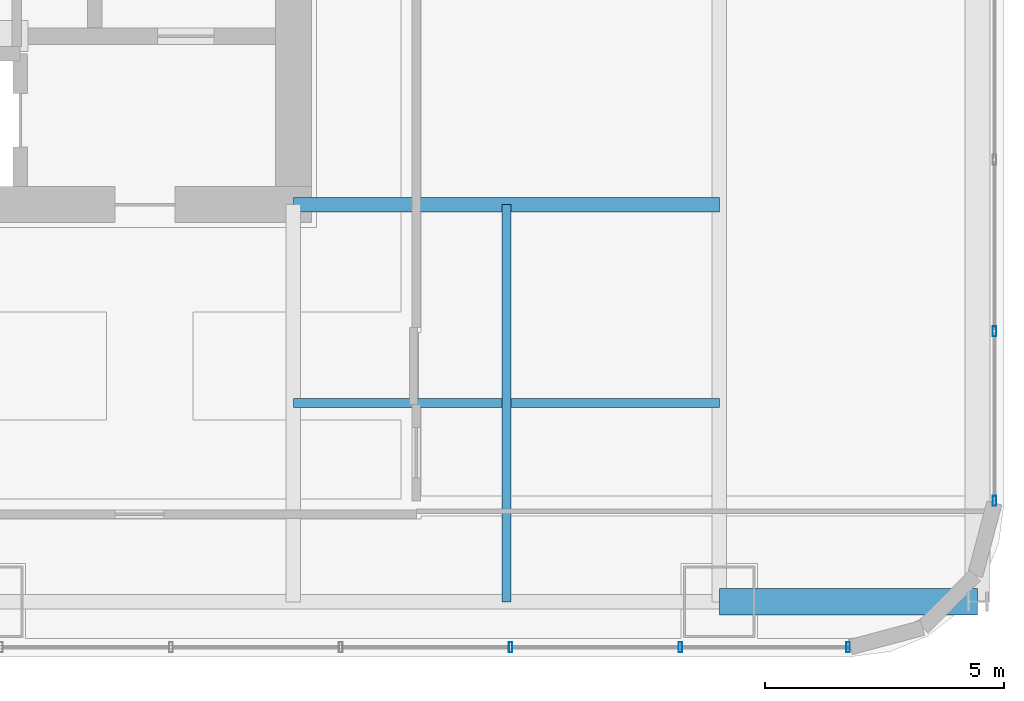
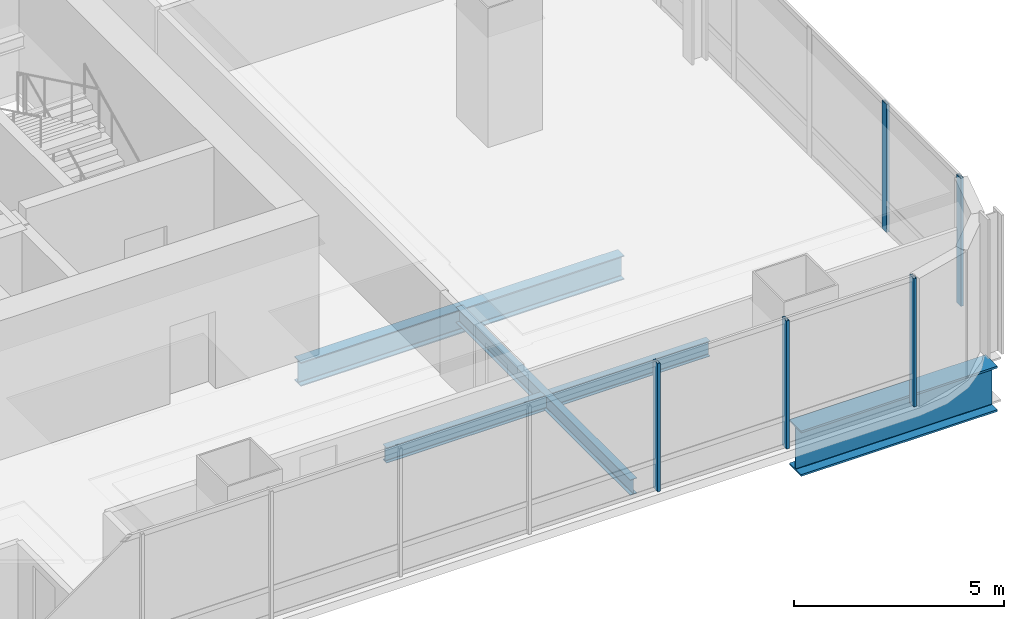
# One storey, part 13 of 33: 5 members, 4 beams, 2 elements without a shape of their own.
"""IFC4 building model written with IfcOpenShell, lengths in metres."""

from ifc_helpers import new_model, si_unit, direction, frame, origin, origin_2d, place, context, subcontext, project, spatial, hollow_rectangle, i_section, extrude, material, material_profile, profile_set, type_object, element, aggregate, save


model = new_model("IFC4")

# Units and contexts
model_context = context("Model", 3, precision=1e-05, world=origin(), true_north=direction((0.0, 1.0)))
body_context = subcontext(model_context, "Body", "Model", "MODEL_VIEW")
ifc_project = project(units=[si_unit("LENGTHUNIT", "METRE"), si_unit("AREAUNIT", "SQUARE_METRE"), si_unit("VOLUMEUNIT", "CUBIC_METRE"), si_unit("PLANEANGLEUNIT", "RADIAN"), si_unit("MASSUNIT", "GRAM", prefix="KILO")], contexts=[model_context])

# Site, building, storey
site_placement = place(None, origin())
site = spatial("IfcSite", under=ifc_project, at=site_placement, CompositionType="ELEMENT")
building_placement = place(site_placement, origin())
building = spatial("IfcBuilding", under=site, at=building_placement, Name="Punatoya Terracotta Tower", CompositionType="ELEMENT")
storey_placement = place(building_placement, frame((0.0, 0.0, 121.35009765625)))
storey = spatial("IfcBuildingStorey", under=building, at=storey_placement, Name="L28", CompositionType="ELEMENT", Elevation=121.35009765625)

# Beams
ifc_material_1 = material(Name="Steel S355", Category="steel")
ifc_material_profile_1 = material_profile(ifc_material_1, i_section(OverallWidth=0.300048828125, OverallDepth=0.699951171875, WebThickness=0.01708984375, FlangeThickness=0.031982421875, FilletRadius=0.01806640625, at=origin_2d()))
ifc_profile_set_1 = profile_set([ifc_material_profile_1], Name="Steel S355")
beam_type_1 = type_object("IfcBeamType", Name="BM-PRI-700", PredefinedType="BEAM", material=ifc_profile_set_1)
beam_1_placement = place(storey_placement, frame((10.199951171875, -9.199951171875, -0.590087890625), z_axis=(1.0, 0.0, 0.0), x_axis=(0.0, 1.0, 0.0)))
element("IfcBeam", 1, at=beam_1_placement, inside=storey, type_object=beam_type_1, Name="BM-L28-PR-ES", PredefinedType="BEAM", context=body_context, shape_type="SweptSolid", body=[
    extrude(i_section(OverallWidth=0.300048828125, OverallDepth=0.699951171875, WebThickness=0.01708984375, FlangeThickness=0.031982421875, FilletRadius=0.01806640625, at=origin_2d()), origin(), (0.0, 0.0, 1.0), 8.900146484375),
])
ifc_material_profile_2 = material_profile(ifc_material_1, i_section(OverallWidth=0.18994140625, OverallDepth=0.449951171875, WebThickness=0.009521484375, FlangeThickness=0.0146484375, FilletRadius=0.01806640625, at=origin_2d()))
ifc_profile_set_2 = profile_set([ifc_material_profile_2], Name="Steel S355")
beam_type_2 = type_object("IfcBeamType", Name="BM-SEC-450", PredefinedType="JOIST", material=ifc_profile_set_2)
beam_2_placement = place(storey_placement, frame((10.199951171875, -13.35009765625, -0.465087890625), z_axis=(1.0, 0.0, 0.0), x_axis=(0.0, 1.0, 0.0)))
element("IfcBeam", 2, at=beam_2_placement, inside=storey, type_object=beam_type_2, Name="BM-L28-SJS-2", PredefinedType="JOIST", context=body_context, shape_type="SweptSolid", body=[
    extrude(i_section(OverallWidth=0.18994140625, OverallDepth=0.449951171875, WebThickness=0.009521484375, FlangeThickness=0.0146484375, FilletRadius=0.01806640625, at=origin_2d()), origin(), (0.0, 0.0, 1.0), 8.900146484375),
])
beam_3_placement = place(storey_placement, frame((14.64990234375, -17.5, -0.465087890625), z_axis=(0.0, 1.0, 0.0), x_axis=(-1.0, 0.0, 0.0)))
element("IfcBeam", 3, at=beam_3_placement, inside=storey, type_object=beam_type_2, Name="BM-L28-SJE-1", PredefinedType="JOIST", context=body_context, shape_type="SweptSolid", body=[
    extrude(i_section(OverallWidth=0.18994140625, OverallDepth=0.449951171875, WebThickness=0.009521484375, FlangeThickness=0.0146484375, FilletRadius=0.01806640625, at=origin_2d()), origin(), (0.0, 0.0, 1.0), 8.300048828125),
])
ifc_material_2 = material(Name="Steel S460", Category="steel")
ifc_material_profile_3 = material_profile(ifc_material_2, i_section(OverallWidth=0.56005859375, OverallDepth=1.320068359375, WebThickness=0.035888671875, FlangeThickness=0.054931640625, FilletRadius=0.01806640625, at=origin_2d()))
ifc_profile_set_3 = profile_set([ifc_material_profile_3], Name="Steel S460")
beam_type_3 = type_object("IfcBeamType", Name="BM-TG-BLK", PredefinedType="BEAM", material=ifc_profile_set_3)
beam_4_placement = place(storey_placement, frame((19.10009765625, -17.5, -0.900146484375), z_axis=(1.0, 0.0, 0.0), x_axis=(0.0, 1.0, 0.0)))
element("IfcBeam", 4, at=beam_4_placement, inside=storey, type_object=beam_type_3, Name="BM-L28-CANT-E1", PredefinedType="BEAM", context=body_context, shape_type="SweptSolid", body=[
    extrude(i_section(OverallWidth=0.56005859375, OverallDepth=1.320068359375, WebThickness=0.035888671875, FlangeThickness=0.054931640625, FilletRadius=0.01806640625, at=origin_2d()), origin(), (0.0, 0.0, 1.0), 5.39990234375),
])

# Curtain wall, members
ifc_material_3 = material(Name="Aluminium 6063-T6 + Double Low-E Glass", Category="aluminium")
curtain_wall_type = type_object("IfcCurtainWallType", Name="CW-M1", PredefinedType="NOTDEFINED", material=ifc_material_3)
curtain_wall_1_placement = place(storey_placement, origin())
curtain_wall_1 = element("IfcCurtainWall", 5, at=curtain_wall_1_placement, inside=storey, type_object=curtain_wall_type, Name="L28 Curtain Wall CW-L28-S01-1", PredefinedType="NOTDEFINED")
ifc_material_4 = material(Name="Aluminium 6063-T6", Category="aluminium")
ifc_material_profile_4 = material_profile(ifc_material_4, hollow_rectangle(XDim=0.074951171875, YDim=0.2099609375, WallThickness=0.00439453125, at=origin_2d()))
ifc_profile_set_4 = profile_set([ifc_material_profile_4], Name="Aluminium 6063-T6")
member_type = type_object("IfcMemberType", Name="CW-MUL-M1", PredefinedType="MULLION", material=ifc_profile_set_4)
member_1_placement = place(storey_placement, frame((14.739501953125, -18.449951171875, 0.0), z_axis=(0.0, 0.0, 1.0), x_axis=(1.0, 0.0, 0.0)))
member_1 = element("IfcMember", 6, at=member_1_placement, type_object=member_type, Name="CW-L28-S01-1 Mullion 08", PredefinedType="MULLION", context=body_context, shape_type="SweptSolid", body=[
    extrude(hollow_rectangle(XDim=0.074951171875, YDim=0.2099609375, WallThickness=0.00439453125, at=origin_2d()), origin(), (0.0, 0.0, 1.0), 3.72998046875),
])
member_2_placement = place(storey_placement, frame((18.2880859375, -18.449951171875, 0.0), z_axis=(0.0, 0.0, 1.0), x_axis=(1.0, 0.0, 0.0)))
member_2 = element("IfcMember", 7, at=member_2_placement, type_object=member_type, Name="CW-L28-S01-1 Mullion 09", PredefinedType="MULLION", context=body_context, shape_type="SweptSolid", body=[
    extrude(hollow_rectangle(XDim=0.074951171875, YDim=0.2099609375, WallThickness=0.00439453125, at=origin_2d()), origin(), (0.0, 0.0, 1.0), 3.72998046875),
])
member_3_placement = place(storey_placement, frame((21.7919921875, -18.449951171875, 0.0), z_axis=(0.0, 0.0, 1.0), x_axis=(1.0, 0.0, 0.0)))
member_3 = element("IfcMember", 8, at=member_3_placement, type_object=member_type, Name="CW-L28-S01-1 Mullion 10", PredefinedType="MULLION", context=body_context, shape_type="SweptSolid", body=[
    extrude(hollow_rectangle(XDim=0.074951171875, YDim=0.2099609375, WallThickness=0.00439453125, at=origin_2d()), origin(), (0.0, 0.0, 1.0), 3.72998046875),
])
aggregate(curtain_wall_1, [member_1, member_2, member_3])

curtain_wall_2_placement = place(storey_placement, origin())
curtain_wall_2 = element("IfcCurtainWall", 9, at=curtain_wall_2_placement, inside=storey, type_object=curtain_wall_type, Name="L28 Curtain Wall CW-L28-E05-1", PredefinedType="NOTDEFINED")
member_4_placement = place(storey_placement, frame((24.85009765625, -15.391845703125, 0.0), z_axis=(0.0, 0.0, 1.0), x_axis=(1.0, 0.0, 0.0)))
member_4 = element("IfcMember", 10, at=member_4_placement, type_object=member_type, Name="CW-L28-E05-1 Mullion 00", PredefinedType="MULLION", context=body_context, shape_type="SweptSolid", body=[
    extrude(hollow_rectangle(XDim=0.074951171875, YDim=0.2099609375, WallThickness=0.00439453125, at=origin_2d()), origin(), (0.0, 0.0, 1.0), 3.72998046875),
])
member_5_placement = place(storey_placement, frame((24.85009765625, -11.849609375, 0.0), z_axis=(0.0, 0.0, 1.0), x_axis=(1.0, 0.0, 0.0)))
member_5 = element("IfcMember", 11, at=member_5_placement, type_object=member_type, Name="CW-L28-E05-1 Mullion 01", PredefinedType="MULLION", context=body_context, shape_type="SweptSolid", body=[
    extrude(hollow_rectangle(XDim=0.074951171875, YDim=0.2099609375, WallThickness=0.00439453125, at=origin_2d()), origin(), (0.0, 0.0, 1.0), 3.72998046875),
])
aggregate(curtain_wall_2, [member_4, member_5])

save(model, "model.ifc")
